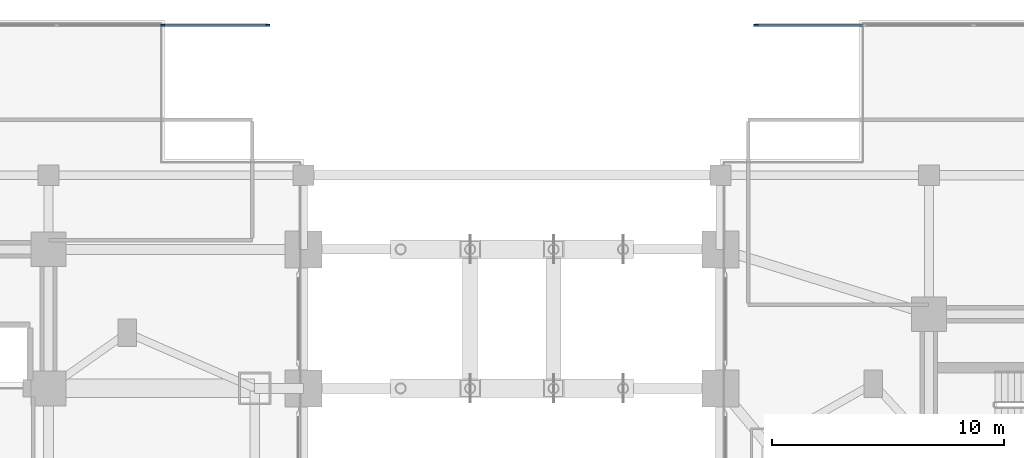
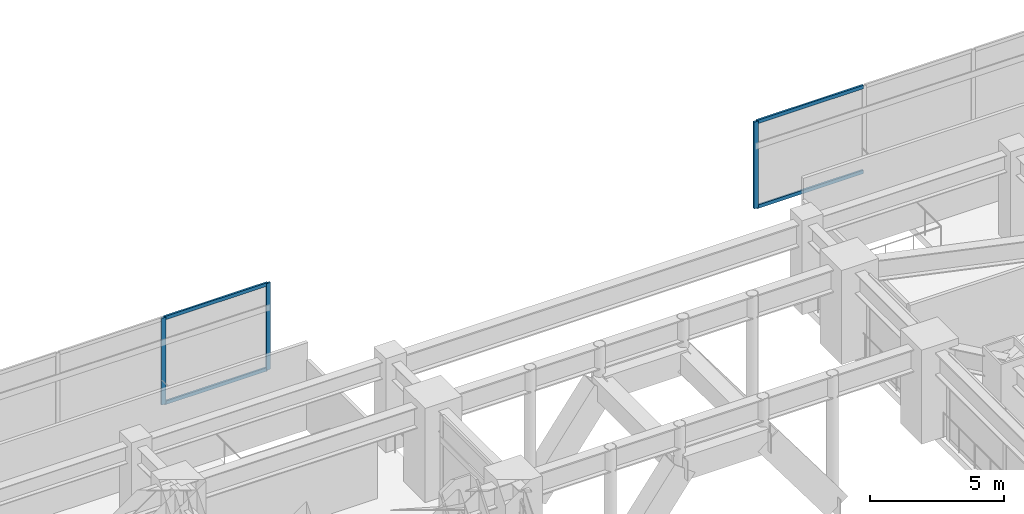
# One storey, part 8 of 30: 7 members, 2 elements without a shape of their own.
"""IFC4 building model written with IfcOpenShell, lengths in metres."""

from ifc_helpers import new_model, si_unit, direction, frame, origin, origin_2d, place, context, subcontext, project, spatial, rectangle, extrude, material, material_profile, profile_set, type_object, element, aggregate, save


model = new_model("IFC4")

# Units and contexts
model_context = context("Model", 3, precision=1e-05, world=origin(), true_north=direction((0.0, 1.0)))
body_context = subcontext(model_context, "Body", "Model", "MODEL_VIEW")
ifc_project = project(units=[si_unit("LENGTHUNIT", "METRE"), si_unit("AREAUNIT", "SQUARE_METRE"), si_unit("VOLUMEUNIT", "CUBIC_METRE"), si_unit("PLANEANGLEUNIT", "RADIAN"), si_unit("MASSUNIT", "GRAM", prefix="KILO")], contexts=[model_context])

# Site, building, storey
site_placement = place(None, origin())
site = spatial("IfcSite", under=ifc_project, at=site_placement, CompositionType="ELEMENT")
building_placement = place(site_placement, origin())
building = spatial("IfcBuilding", under=site, at=building_placement, Name="Mirazonda Arch Towers", CompositionType="ELEMENT")
storey_placement = place(building_placement, frame((0.0, 0.0, 9.5)))
storey = spatial("IfcBuildingStorey", under=building, at=storey_placement, Name="L02", CompositionType="ELEMENT", Elevation=9.5)

# Curtain wall, members
ifc_material_1 = material(Name="Anodised Aluminium and Low-E Glass", Category="aluminium")
curtain_wall_type = type_object("IfcCurtainWallType", Name="CW-POD-STORE", PredefinedType="NOTDEFINED", material=ifc_material_1)
curtain_wall_1_placement = place(storey_placement, origin())
curtain_wall_1 = element("IfcCurtainWall", 1, at=curtain_wall_1_placement, inside=storey, type_object=curtain_wall_type, Name="L02 Curtain Wall CW-L02-WN", PredefinedType="NOTDEFINED")
ifc_material_2 = material(Name="Anodised Aluminium Alloy", Category="aluminium")
ifc_material_profile_1 = material_profile(ifc_material_2, rectangle(XDim=0.080078125, YDim=0.179931640625, at=origin_2d()), Name="ALU-MULL-80x180")
ifc_profile_set_1 = profile_set([ifc_material_profile_1], Name="Anodised Aluminium Alloy")
member_type_1 = type_object("IfcMemberType", Name="MULL-CW-POD-STORE", PredefinedType="MULLION", material=ifc_profile_set_1)
member_1_placement = place(storey_placement, frame((34.928466796875, 53.280029296875, 0.0), z_axis=(0.0, 0.0, 1.0), x_axis=(0.0, 1.0, 0.0)))
member_1 = element("IfcMember", 2, at=member_1_placement, type_object=member_type_1, Name="CW-102 mullion 7", PredefinedType="MULLION", context=body_context, shape_type="SweptSolid", body=[
    extrude(rectangle(XDim=0.080078125, YDim=0.179931640625, at=origin_2d()), origin(), (0.0, 0.0, 1.0), 3.9599609375),
])
member_2_placement = place(storey_placement, frame((39.4599609375, 53.280029296875, 0.0), z_axis=(0.0, 0.0, 1.0), x_axis=(0.0, 1.0, 0.0)))
member_2 = element("IfcMember", 3, at=member_2_placement, type_object=member_type_1, Name="CW-102 mullion 8", PredefinedType="MULLION", context=body_context, shape_type="SweptSolid", body=[
    extrude(rectangle(XDim=0.080078125, YDim=0.179931640625, at=origin_2d()), origin(), (0.0, 0.0, 1.0), 3.9599609375),
])

# Curtain wall, member
curtain_wall_2_placement = place(storey_placement, origin())
curtain_wall_2 = element("IfcCurtainWall", 4, at=curtain_wall_2_placement, inside=storey, type_object=curtain_wall_type, Name="L02 Curtain Wall CW-L02-EN", PredefinedType="NOTDEFINED")
member_3_placement = place(storey_placement, frame((60.5400390625, 53.280029296875, 0.0), z_axis=(0.0, 0.0, 1.0), x_axis=(0.0, 1.0, 0.0)))
member_3 = element("IfcMember", 5, at=member_3_placement, type_object=member_type_1, Name="CW-102 mullion 1", PredefinedType="MULLION", context=body_context, shape_type="SweptSolid", body=[
    extrude(rectangle(XDim=0.080078125, YDim=0.179931640625, at=origin_2d()), origin(), (0.0, 0.0, 1.0), 3.9599609375),
])

# Member
ifc_material_profile_2 = material_profile(ifc_material_2, rectangle(XDim=0.080078125, YDim=0.159912109375, at=origin_2d()), Name="ALU-TRAN-80x160")
ifc_profile_set_2 = profile_set([ifc_material_profile_2], Name="Anodised Aluminium Alloy")
member_type_2 = type_object("IfcMemberType", Name="TRAN-CW-POD-STORE", PredefinedType="USERDEFINED", material=ifc_profile_set_2)
member_4_placement = place(storey_placement, frame((34.968505859375, 53.280029296875, 0.0400390625), z_axis=(1.0, 0.0, 0.0), x_axis=(0.0, 1.0, 0.0)))
member_4 = element("IfcMember", 6, at=member_4_placement, type_object=member_type_2, Name="CW-102 transom 7.1", ObjectType="TRANSOM", PredefinedType="USERDEFINED", context=body_context, shape_type="SweptSolid", body=[
    extrude(rectangle(XDim=0.080078125, YDim=0.159912109375, at=origin_2d()), origin(), (0.0, 0.0, 1.0), 4.451416015625),
])

member_5_placement = place(storey_placement, frame((34.968505859375, 53.280029296875, 3.919921875), z_axis=(1.0, 0.0, 0.0), x_axis=(0.0, 1.0, 0.0)))
member_5 = element("IfcMember", 7, at=member_5_placement, type_object=member_type_2, Name="CW-102 transom 7.2", ObjectType="TRANSOM", PredefinedType="USERDEFINED", context=body_context, shape_type="SweptSolid", body=[
    extrude(rectangle(XDim=0.080078125, YDim=0.159912109375, at=origin_2d()), origin(), (0.0, 0.0, 1.0), 4.451416015625),
])

aggregate(curtain_wall_1, [member_1, member_2, member_4, member_5])

member_6_placement = place(storey_placement, frame((60.580078125, 53.280029296875, 0.0400390625), z_axis=(1.0, 0.0, 0.0), x_axis=(0.0, 1.0, 0.0)))
member_6 = element("IfcMember", 8, at=member_6_placement, type_object=member_type_2, Name="CW-102 transom 1.1", ObjectType="TRANSOM", PredefinedType="USERDEFINED", context=body_context, shape_type="SweptSolid", body=[
    extrude(rectangle(XDim=0.080078125, YDim=0.159912109375, at=origin_2d()), origin(), (0.0, 0.0, 1.0), 4.59423828125),
])

member_7_placement = place(storey_placement, frame((60.580078125, 53.280029296875, 3.919921875), z_axis=(1.0, 0.0, 0.0), x_axis=(0.0, 1.0, 0.0)))
member_7 = element("IfcMember", 9, at=member_7_placement, type_object=member_type_2, Name="CW-102 transom 1.2", ObjectType="TRANSOM", PredefinedType="USERDEFINED", context=body_context, shape_type="SweptSolid", body=[
    extrude(rectangle(XDim=0.080078125, YDim=0.159912109375, at=origin_2d()), origin(), (0.0, 0.0, 1.0), 4.59423828125),
])

aggregate(curtain_wall_2, [member_3, member_6, member_7])

save(model, "model.ifc")
